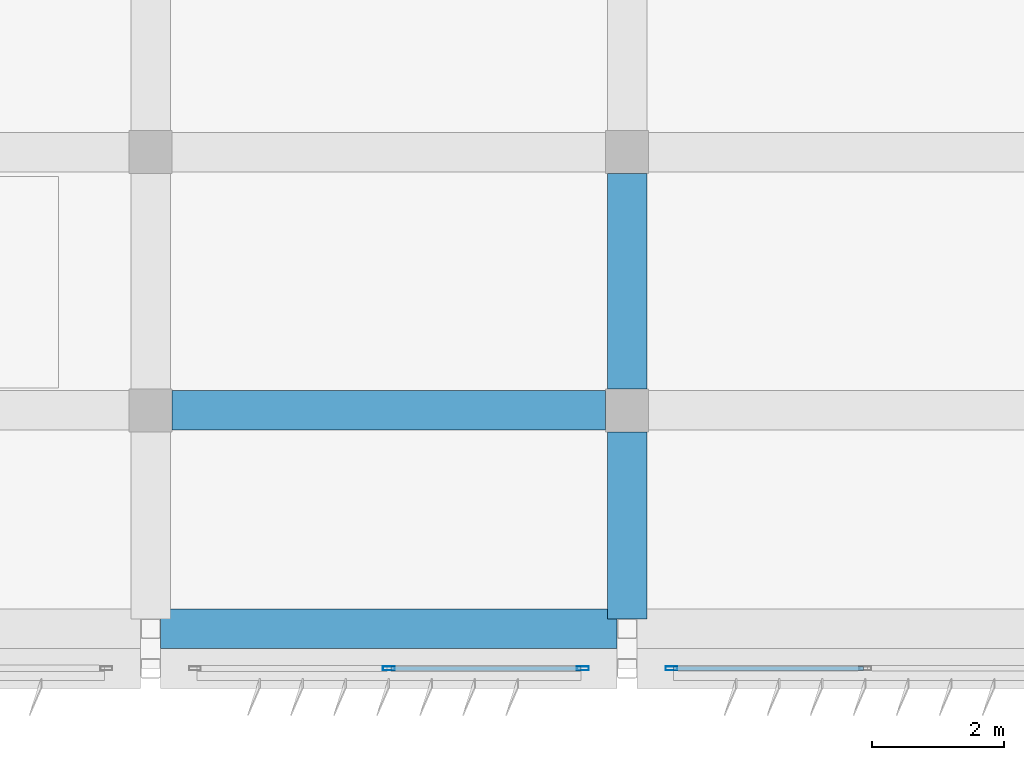
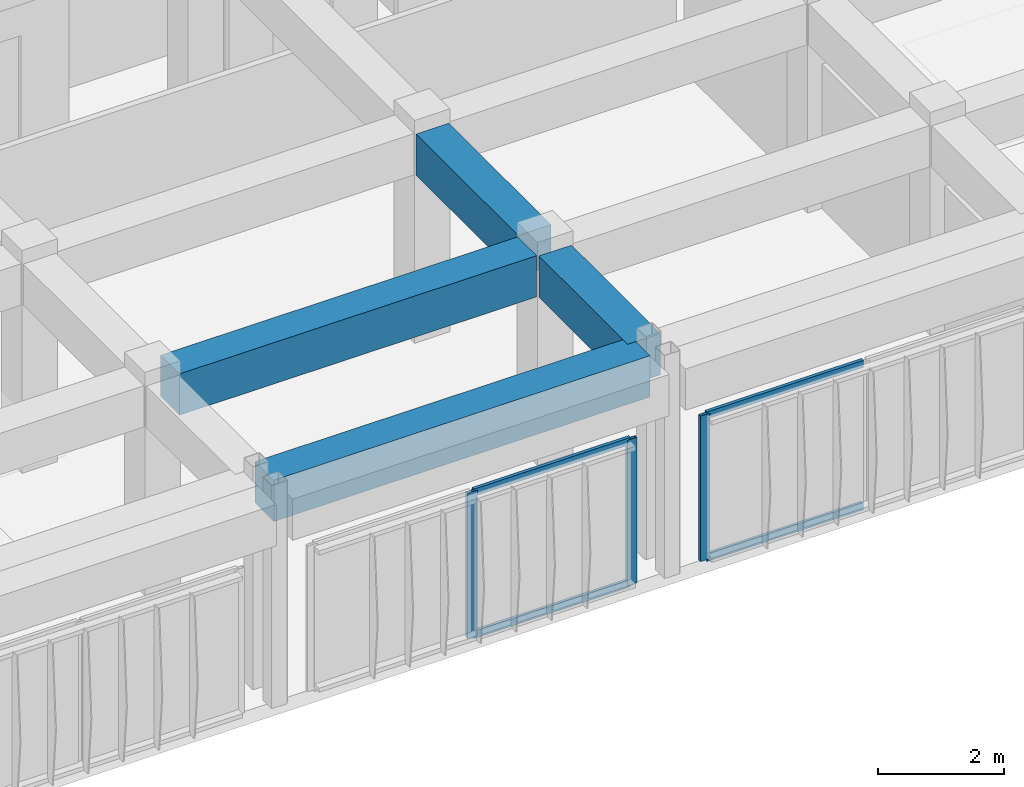
# One storey, part 7 of 53: 7 members, 4 beams, 2 elements without a shape of their own.
"""IFC4 building model written with IfcOpenShell, lengths in metres."""

from ifc_helpers import new_model, si_unit, direction, frame, origin, origin_2d, place, context, subcontext, project, spatial, rectangle, hollow_rectangle, extrude, material, material_profile, profile_set, type_object, element, aggregate, save


model = new_model("IFC4")

# Units and contexts
model_context = context("Model", 3, precision=1e-05, world=origin(), true_north=direction((0.0, 1.0)))
body_context = subcontext(model_context, "Body", "Model", "MODEL_VIEW")
ifc_project = project(units=[si_unit("LENGTHUNIT", "METRE"), si_unit("AREAUNIT", "SQUARE_METRE"), si_unit("VOLUMEUNIT", "CUBIC_METRE"), si_unit("PLANEANGLEUNIT", "RADIAN"), si_unit("MASSUNIT", "GRAM", prefix="KILO")], contexts=[model_context])

# Site, building, storey
site_placement = place(None, origin())
site = spatial("IfcSite", under=ifc_project, at=site_placement, CompositionType="ELEMENT")
building_placement = place(site_placement, origin())
building = spatial("IfcBuilding", under=site, at=building_placement, Name="Kazehaya Institute of Natural Sciences", CompositionType="ELEMENT")
storey_placement = place(building_placement, frame((0.0, 0.0, 33.300048828125)))
storey = spatial("IfcBuildingStorey", under=building, at=storey_placement, Name="L07", CompositionType="ELEMENT", Elevation=33.300048828125)

# Beams
ifc_material_1 = material(Name="Concrete Fc36", Category="concrete")
ifc_material_profile_1 = material_profile(ifc_material_1, rectangle(XDim=0.60009765625, YDim=0.800048828125, at=origin_2d()), Name="RC-600x800")
ifc_profile_set_1 = profile_set([ifc_material_profile_1], Name="Concrete Fc36")
beam_type = type_object("IfcBeamType", Name="BM-G-600x800", PredefinedType="BEAM", material=ifc_profile_set_1)
beam_1_placement = place(storey_placement, frame((69.14990234375, 6.800048828125, 3.64990234375), z_axis=(1.0, 0.0, 0.0), x_axis=(0.0, 1.0, 0.0)))
element("IfcBeam", 1, at=beam_1_placement, inside=storey, type_object=beam_type, Name="L07 primary X girder BMX-L07-690-68", PredefinedType="BEAM", context=body_context, shape_type="SweptSolid", body=[
    extrude(rectangle(XDim=0.60009765625, YDim=0.800048828125, at=origin_2d()), origin(), (0.0, 0.0, 1.0), 6.900146484375),
])
beam_2_placement = place(storey_placement, frame((69.324951171875, 10.10009765625, 3.64990234375), z_axis=(1.0, 0.0, 0.0), x_axis=(0.0, 1.0, 0.0)))
element("IfcBeam", 2, at=beam_2_placement, inside=storey, type_object=beam_type, Name="L07 primary X girder BMX-L07-690-101", PredefinedType="BEAM", context=body_context, shape_type="SweptSolid", body=[
    extrude(rectangle(XDim=0.60009765625, YDim=0.800048828125, at=origin_2d()), origin(), (0.0, 0.0, 1.0), 6.550048828125),
])
beam_3_placement = place(storey_placement, frame((76.199951171875, 6.949951171875, 3.64990234375), z_axis=(0.0, 1.0, 0.0), x_axis=(-1.0, 0.0, 0.0)))
element("IfcBeam", 3, at=beam_3_placement, inside=storey, type_object=beam_type, Name="L07 primary Y girder BMY-L07-762-68", PredefinedType="BEAM", context=body_context, shape_type="SweptSolid", body=[
    extrude(rectangle(XDim=0.60009765625, YDim=0.800048828125, at=origin_2d()), origin(), (0.0, 0.0, 1.0), 2.824951171875),
])
beam_4_placement = place(storey_placement, frame((76.199951171875, 10.425048828125, 3.64990234375), z_axis=(0.0, 1.0, 0.0), x_axis=(-1.0, 0.0, 0.0)))
element("IfcBeam", 4, at=beam_4_placement, inside=storey, type_object=beam_type, Name="L07 primary Y girder BMY-L07-762-101", PredefinedType="BEAM", context=body_context, shape_type="SweptSolid", body=[
    extrude(rectangle(XDim=0.60009765625, YDim=0.800048828125, at=origin_2d()), origin(), (0.0, 0.0, 1.0), 3.25),
])

# Curtain wall, member
ifc_material_2 = material(Name="Aluminium alloy A6063S-T5", Category="aluminium")
curtain_wall_type = type_object("IfcCurtainWallType", Name="CW-SYS-05", PredefinedType="NOTDEFINED", material=ifc_material_2)
curtain_wall_1_placement = place(storey_placement, origin())
curtain_wall_1 = element("IfcCurtainWall", 5, at=curtain_wall_1_placement, inside=storey, type_object=curtain_wall_type, Name="L07 unitised curtain wall CW-L07-153", PredefinedType="NOTDEFINED")
ifc_material_profile_2 = material_profile(ifc_material_2, hollow_rectangle(XDim=0.06005859375, YDim=0.179931640625, WallThickness=0.00390625, at=origin_2d()), Name="ALU-60x180x4")
ifc_profile_set_2 = profile_set([ifc_material_profile_2], Name="Aluminium alloy A6063S-T5")
member_type_1 = type_object("IfcMemberType", Name="CWM-180", PredefinedType="MULLION", material=ifc_profile_set_2)
member_1_placement = place(storey_placement, frame((76.8701171875, 6.199951171875, 0.0), z_axis=(0.0, 0.0, 1.0), x_axis=(0.0, -1.0, 0.0)))
member_1 = element("IfcMember", 6, at=member_1_placement, type_object=member_type_1, Name="CW05 mullion 3", PredefinedType="MULLION", context=body_context, shape_type="SweptSolid", body=[
    extrude(hollow_rectangle(XDim=0.06005859375, YDim=0.179931640625, WallThickness=0.00390625, at=origin_2d()), origin(), (0.0, 0.0, 1.0), 2.820068359375),
])

# Curtain wall, members
curtain_wall_2_placement = place(storey_placement, origin())
curtain_wall_2 = element("IfcCurtainWall", 7, at=curtain_wall_2_placement, inside=storey, type_object=curtain_wall_type, Name="L07 unitised curtain wall CW-L07-154", PredefinedType="NOTDEFINED")
member_2_placement = place(storey_placement, frame((75.530029296875, 6.199951171875, 0.0), z_axis=(0.0, 0.0, 1.0), x_axis=(0.0, -1.0, 0.0)))
member_2 = element("IfcMember", 8, at=member_2_placement, type_object=member_type_1, Name="CW05 mullion 1", PredefinedType="MULLION", context=body_context, shape_type="SweptSolid", body=[
    extrude(hollow_rectangle(XDim=0.06005859375, YDim=0.179931640625, WallThickness=0.00390625, at=origin_2d()), origin(), (0.0, 0.0, 1.0), 2.820068359375),
])
member_3_placement = place(storey_placement, frame((72.60009765625, 6.199951171875, 0.0), z_axis=(0.0, 0.0, 1.0), x_axis=(0.0, -1.0, 0.0)))
member_3 = element("IfcMember", 9, at=member_3_placement, type_object=member_type_1, Name="CW05 mullion 2", PredefinedType="MULLION", context=body_context, shape_type="SweptSolid", body=[
    extrude(hollow_rectangle(XDim=0.06005859375, YDim=0.179931640625, WallThickness=0.00390625, at=origin_2d()), origin(), (0.0, 0.0, 1.0), 2.820068359375),
])

# Member
ifc_material_profile_3 = material_profile(ifc_material_2, hollow_rectangle(XDim=0.06005859375, YDim=0.139892578125, WallThickness=0.00341796875, at=origin_2d()), Name="ALU-60x140x3.5")
ifc_profile_set_3 = profile_set([ifc_material_profile_3], Name="Aluminium alloy A6063S-T5")
member_type_2 = type_object("IfcMemberType", Name="CWT-140", PredefinedType="USERDEFINED", material=ifc_profile_set_3)
member_4_placement = place(storey_placement, frame((79.77001953125, 6.199951171875, 0.030029296875), z_axis=(-1.0, 0.0, 0.0), x_axis=(0.0, -1.0, 0.0)))
member_4 = element("IfcMember", 10, at=member_4_placement, type_object=member_type_2, Name="CW05 transom 2.1", ObjectType="TRANSOM", PredefinedType="USERDEFINED", context=body_context, shape_type="SweptSolid", body=[
    extrude(hollow_rectangle(XDim=0.06005859375, YDim=0.139892578125, WallThickness=0.00341796875, at=origin_2d()), origin(), (0.0, 0.0, 1.0), 2.8701171875),
])

member_5_placement = place(storey_placement, frame((79.77001953125, 6.199951171875, 2.7900390625), z_axis=(-1.0, 0.0, 0.0), x_axis=(0.0, -1.0, 0.0)))
member_5 = element("IfcMember", 11, at=member_5_placement, type_object=member_type_2, Name="CW05 transom 2.2", ObjectType="TRANSOM", PredefinedType="USERDEFINED", context=body_context, shape_type="SweptSolid", body=[
    extrude(hollow_rectangle(XDim=0.06005859375, YDim=0.139892578125, WallThickness=0.00341796875, at=origin_2d()), origin(), (0.0, 0.0, 1.0), 2.8701171875),
])

aggregate(curtain_wall_1, [member_1, member_4, member_5])

member_6_placement = place(storey_placement, frame((75.5, 6.199951171875, 0.030029296875), z_axis=(-1.0, 0.0, 0.0), x_axis=(0.0, -1.0, 0.0)))
member_6 = element("IfcMember", 12, at=member_6_placement, type_object=member_type_2, Name="CW05 transom 1.1", ObjectType="TRANSOM", PredefinedType="USERDEFINED", context=body_context, shape_type="SweptSolid", body=[
    extrude(hollow_rectangle(XDim=0.06005859375, YDim=0.139892578125, WallThickness=0.00341796875, at=origin_2d()), origin(), (0.0, 0.0, 1.0), 2.8701171875),
])

member_7_placement = place(storey_placement, frame((75.5, 6.199951171875, 2.7900390625), z_axis=(-1.0, 0.0, 0.0), x_axis=(0.0, -1.0, 0.0)))
member_7 = element("IfcMember", 13, at=member_7_placement, type_object=member_type_2, Name="CW05 transom 1.2", ObjectType="TRANSOM", PredefinedType="USERDEFINED", context=body_context, shape_type="SweptSolid", body=[
    extrude(hollow_rectangle(XDim=0.06005859375, YDim=0.139892578125, WallThickness=0.00341796875, at=origin_2d()), origin(), (0.0, 0.0, 1.0), 2.8701171875),
])

aggregate(curtain_wall_2, [member_2, member_3, member_6, member_7])

save(model, "model.ifc")
